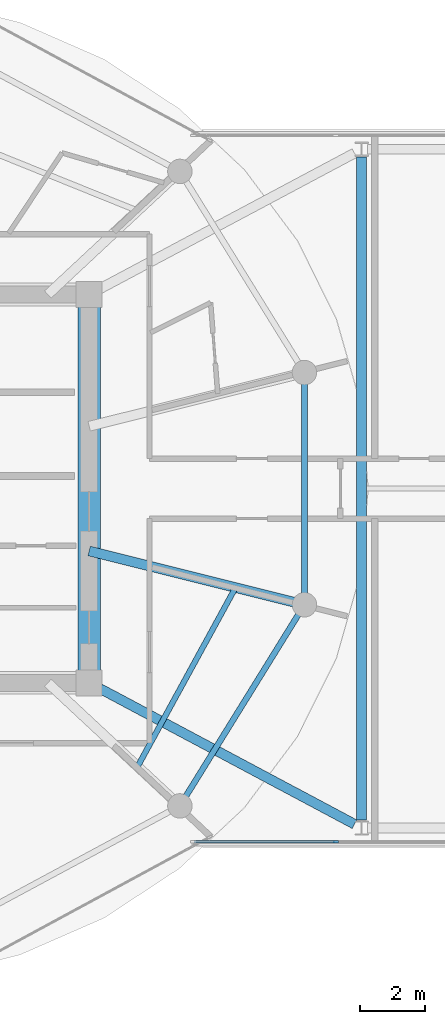
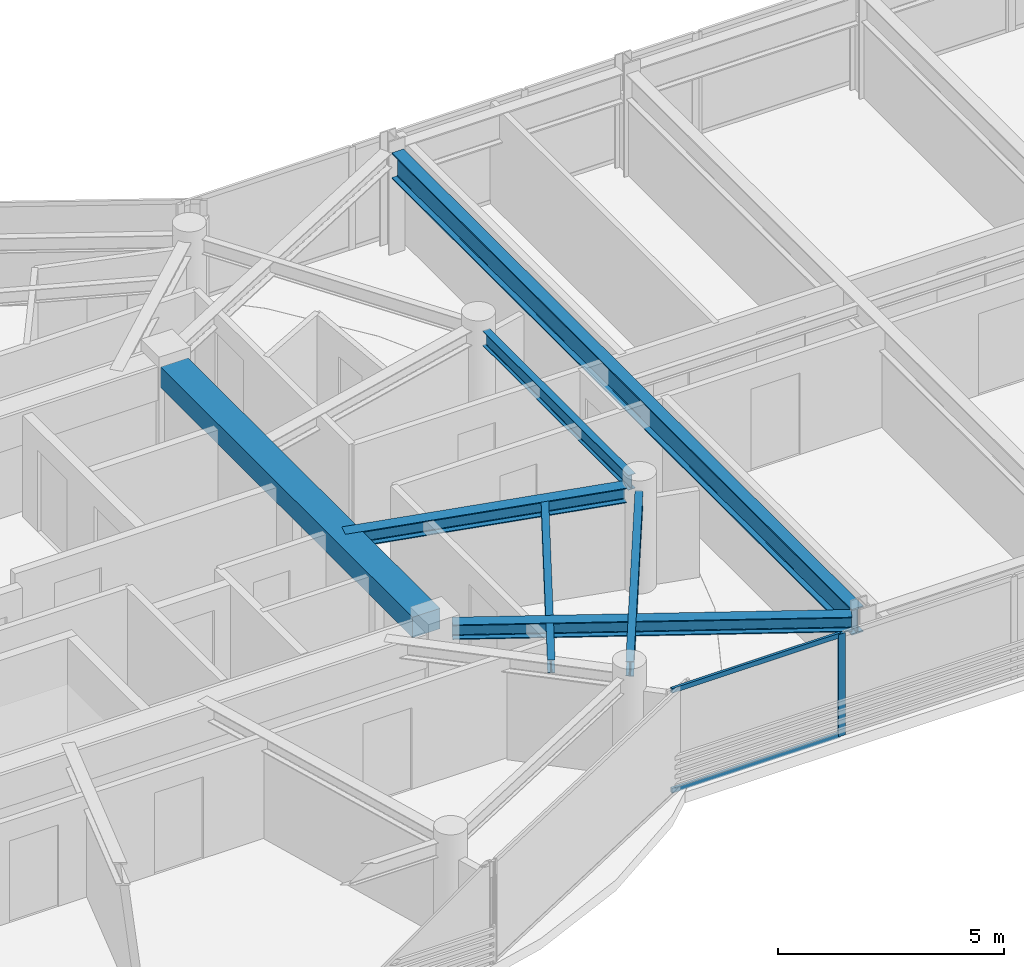
# One storey, part 4 of 23: 7 beams, 3 members, 1 element without a shape of its own.
"""IFC4 building model written with IfcOpenShell, lengths in metres."""

from ifc_helpers import new_model, si_unit, direction, frame, origin, origin_2d, place, context, subcontext, project, spatial, rectangle, i_section, extrude, source, transform, mapped, material, layer, layer_set, material_profile, profile_set, type_object, type_shapes, element, aggregate, save


model = new_model("IFC4")

# Units and contexts
model_context = context("Model", 3, precision=1e-05, world=origin(), true_north=direction((0.0, 1.0)))
body_context = subcontext(model_context, "Body", "Model", "MODEL_VIEW")
ifc_project = project(units=[si_unit("LENGTHUNIT", "METRE"), si_unit("AREAUNIT", "SQUARE_METRE"), si_unit("VOLUMEUNIT", "CUBIC_METRE"), si_unit("PLANEANGLEUNIT", "RADIAN"), si_unit("MASSUNIT", "GRAM", prefix="KILO")], contexts=[model_context])

# Site, building, storey
site_placement = place(None, origin())
site = spatial("IfcSite", under=ifc_project, at=site_placement, CompositionType="ELEMENT")
building_placement = place(site_placement, origin())
building = spatial("IfcBuilding", under=site, at=building_placement, Name="Norrkilde Senior Care Towers", CompositionType="ELEMENT")
storey_placement = place(building_placement, frame((0.0, 0.0, 207.800048828125)))
storey = spatial("IfcBuildingStorey", under=building, at=storey_placement, Name="L64", CompositionType="ELEMENT", Elevation=207.800048828125)

# Beams
ifc_material_1 = material(Name="Concrete C60/75", Category="concrete")
ifc_material_profile_1 = material_profile(ifc_material_1, rectangle(XDim=0.699951171875, YDim=0.550048828125, at=origin_2d()), Name="RC BM 700x550")
ifc_profile_set_1 = profile_set([ifc_material_profile_1], Name="Concrete C60/75")
beam_type_1 = type_object("IfcBeamType", Name="Core Portal Coupling Beam 700x550", PredefinedType="USERDEFINED", material=ifc_profile_set_1)
shared_shape_1 = source(origin(), body_context, "Body", "SweptSolid", [
    extrude(rectangle(XDim=0.699951171875, YDim=0.550048828125, at=origin_2d()), origin(), (0.0, 0.0, 1.0), 11.14013671875),
])
type_shapes(beam_type_1, [shared_shape_1])
beam_1_placement = place(storey_placement, frame((-20.35009765625, -5.570068359375, 2.48486328125), z_axis=(0.0, 1.0, 0.0), x_axis=(-1.0, 0.0, 0.0)))
element("IfcBeam", 1, at=beam_1_placement, inside=storey, type_object=beam_type_1, Name="L64 Core W E Coupling Girder", ObjectType="GIRDER", PredefinedType="USERDEFINED", context=body_context, shape_type="MappedRepresentation", body=[
    mapped(shared_shape_1, transform((0.0, 0.0, 0.0), x_axis=(1.0, 0.0, 0.0), y_axis=(0.0, 1.0, 0.0), z_axis=(0.0, 0.0, 1.0), scale=1.0)),
])
ifc_material_2 = material(Name="Steel S355", Category="steel")
ifc_material_profile_2 = material_profile(ifc_material_2, i_section(OverallWidth=0.179931640625, OverallDepth=0.39990234375, WebThickness=0.008544921875, FlangeThickness=0.013427734375, FilletRadius=0.02099609375, at=origin_2d()), Name="IPE 400")
ifc_profile_set_2 = profile_set([ifc_material_profile_2], Name="Steel S355")
beam_type_2 = type_object("IfcBeamType", Name="Perimeter Ring Spandrel Z4 IPE400", PredefinedType="SPANDREL", material=ifc_profile_set_2)
shared_shape_2 = source(origin(), body_context, "Body", "SweptSolid", [
    extrude(i_section(OverallWidth=0.179931640625, OverallDepth=0.39990234375, WebThickness=0.008544921875, FlangeThickness=0.013427734375, FilletRadius=0.02099609375, at=origin_2d()), origin(), (0.0, 0.0, 1.0), 6.58056640625),
])
beam_2_placement = place(storey_placement, frame((-17.393798828125, -9.43798828125, 2.56005859375), z_axis=(0.526529583789, 0.850156807533, 0.0), x_axis=(-0.850156807533, 0.526529583789, 0.0)))
element("IfcBeam", 2, at=beam_2_placement, inside=storey, type_object=beam_type_2, Name="L64 Drum W Perimeter Spandrel 11", PredefinedType="SPANDREL", context=body_context, shape_type="MappedRepresentation", body=[
    mapped(shared_shape_2, transform((0.0, 0.0, 0.0), x_axis=(1.0, 0.0, 0.0), y_axis=(0.0, 1.0, 0.0), z_axis=(0.0, 0.0, 1.0), scale=1.0)),
])
ifc_material_profile_3 = material_profile(ifc_material_2, i_section(OverallWidth=0.300048828125, OverallDepth=0.39990234375, WebThickness=0.013427734375, FlangeThickness=0.02392578125, FilletRadius=0.027099609375, at=origin_2d()), Name="HEB 400")
ifc_profile_set_3 = profile_set([ifc_material_profile_3], Name="Steel S355")
beam_type_3 = type_object("IfcBeamType", Name="Radial Floor Beam Z4 HEB400", PredefinedType="BEAM", material=ifc_profile_set_3)
shared_shape_3 = source(origin(), body_context, "Body", "SweptSolid", [
    extrude(i_section(OverallWidth=0.300048828125, OverallDepth=0.39990234375, WebThickness=0.013427734375, FlangeThickness=0.02392578125, FilletRadius=0.027099609375, at=origin_2d()), origin(), (0.0, 0.0, 1.0), 6.465087890625),
])
beam_3_placement = place(storey_placement, frame((-20.35009765625, -1.910888671875, 2.56005859375), z_axis=(0.970195788563, -0.242322371758, 0.0), x_axis=(0.242322371758, 0.970195788563, 0.0)))
element("IfcBeam", 3, at=beam_3_placement, inside=storey, type_object=beam_type_3, Name="L64 Drum W Radial Floor Beam 12", PredefinedType="BEAM", context=body_context, shape_type="MappedRepresentation", body=[
    mapped(shared_shape_3, transform((0.0, 0.0, 0.0), x_axis=(1.0, 0.0, 0.0), y_axis=(0.0, 1.0, 0.0), z_axis=(0.0, 0.0, 1.0), scale=1.0)),
])
shared_shape_4 = source(origin(), body_context, "Body", "SweptSolid", [
    extrude(i_section(OverallWidth=0.179931640625, OverallDepth=0.39990234375, WebThickness=0.008544921875, FlangeThickness=0.013427734375, FilletRadius=0.02099609375, at=origin_2d()), origin(), (0.0, 0.0, 1.0), 6.44775390625),
])
type_shapes(beam_type_2, [shared_shape_2, shared_shape_4])
beam_4_placement = place(storey_placement, frame((-13.752685546875, -3.223876953125, 2.56005859375), z_axis=(0.0, 1.0, 0.0), x_axis=(-1.0, 0.0, 0.0)))
element("IfcBeam", 4, at=beam_4_placement, inside=storey, type_object=beam_type_2, Name="L64 Drum W Perimeter Spandrel 12", PredefinedType="SPANDREL", context=body_context, shape_type="MappedRepresentation", body=[
    mapped(shared_shape_4, transform((0.0, 0.0, 0.0), x_axis=(1.0, 0.0, 0.0), y_axis=(0.0, 1.0, 0.0), z_axis=(0.0, 0.0, 1.0), scale=1.0)),
])
ifc_material_profile_4 = material_profile(ifc_material_2, i_section(OverallWidth=0.169921875, OverallDepth=0.360107421875, WebThickness=0.008056640625, FlangeThickness=0.0126953125, FilletRadius=0.01806640625, at=origin_2d()), Name="IPE 360")
ifc_profile_set_4 = profile_set([ifc_material_profile_4], Name="Steel S355")
beam_type_4 = type_object("IfcBeamType", Name="Secondary Floor Joist IPE360", PredefinedType="JOIST", material=ifc_profile_set_4)
shared_shape_5 = source(origin(), body_context, "Body", "SweptSolid", [
    extrude(i_section(OverallWidth=0.169921875, OverallDepth=0.360107421875, WebThickness=0.008056640625, FlangeThickness=0.0126953125, FilletRadius=0.01806640625, at=origin_2d()), origin(), (0.0, 0.0, 1.0), 6.25146484375),
])
type_shapes(beam_type_4, [shared_shape_5])
beam_5_placement = place(storey_placement, frame((-18.865234375, -8.515380859375, 2.579833984375), z_axis=(0.480115752653, 0.877205143655, 0.0), x_axis=(-0.877205143655, 0.480115752653, 0.0)))
element("IfcBeam", 5, at=beam_5_placement, inside=storey, type_object=beam_type_4, Name="L64 Drum W Secondary Floor Joist 4", PredefinedType="JOIST", context=body_context, shape_type="MappedRepresentation", body=[
    mapped(shared_shape_5, transform((0.0, 0.0, 0.0), x_axis=(1.0, 0.0, 0.0), y_axis=(0.0, 1.0, 0.0), z_axis=(0.0, 0.0, 1.0), scale=1.0)),
])
ifc_material_profile_5 = material_profile(ifc_material_2, i_section(OverallWidth=0.300048828125, OverallDepth=0.699951171875, WebThickness=0.01708984375, FlangeThickness=0.031982421875, FilletRadius=0.027099609375, at=origin_2d()), Name="HEB 700")
ifc_profile_set_5 = profile_set([ifc_material_profile_5], Name="Steel S355")
beam_type_5 = type_object("IfcBeamType", Name="Bridge Cross Girder HEB700", PredefinedType="USERDEFINED", material=ifc_profile_set_5)
shared_shape_6 = source(origin(), body_context, "Body", "SweptSolid", [
    extrude(i_section(OverallWidth=0.300048828125, OverallDepth=0.699951171875, WebThickness=0.01708984375, FlangeThickness=0.031982421875, FilletRadius=0.027099609375, at=origin_2d()), origin(), (0.0, 0.0, 1.0), 20.31982421875),
])
type_shapes(beam_type_5, [shared_shape_6])
beam_6_placement = place(storey_placement, frame((-12.0, -10.159912109375, 2.409912109375), z_axis=(0.0, 1.0, 0.0), x_axis=(-1.0, 0.0, 0.0)))
element("IfcBeam", 6, at=beam_6_placement, inside=storey, type_object=beam_type_5, Name="L64 Sky-Gate Bridge Cross Girder -12", ObjectType="GIRDER", PredefinedType="USERDEFINED", context=body_context, shape_type="MappedRepresentation", body=[
    mapped(shared_shape_6, transform((0.0, 0.0, 0.0), x_axis=(1.0, 0.0, 0.0), y_axis=(0.0, 1.0, 0.0), z_axis=(0.0, 0.0, 1.0), scale=1.0)),
])
shared_shape_7 = source(origin(), body_context, "Body", "SweptSolid", [
    extrude(i_section(OverallWidth=0.300048828125, OverallDepth=0.39990234375, WebThickness=0.013427734375, FlangeThickness=0.02392578125, FilletRadius=0.027099609375, at=origin_2d()), origin(), (0.0, 0.0, 1.0), 8.831787109375),
])
type_shapes(beam_type_3, [shared_shape_3, shared_shape_7])
beam_7_placement = place(storey_placement, frame((-20.0146484375, -6.128662109375, 2.56005859375), z_axis=(0.882492172381, -0.470327083727, 0.0), x_axis=(0.470327083727, 0.882492172381, 0.0)))
element("IfcBeam", 7, at=beam_7_placement, inside=storey, type_object=beam_type_3, Name="L64 Sky-Gate Bridge Girder S1", PredefinedType="BEAM", context=body_context, shape_type="MappedRepresentation", body=[
    mapped(shared_shape_7, transform((0.0, 0.0, 0.0), x_axis=(1.0, 0.0, 0.0), y_axis=(0.0, 1.0, 0.0), z_axis=(0.0, 0.0, 1.0), scale=1.0)),
])

# Curtain wall, members
ifc_material_3 = material(Name="Triple Low-E Insulated Glazing", Category="glass")
ifc_layer = layer(ifc_material_3, 0.2099609375)
ifc_layer_set = layer_set([ifc_layer], Name="Triple Low-E Insulated Glazing")
curtain_wall_type = type_object("IfcCurtainWallType", Name="CW5 Sky-Gate Bridge Curtain Wall", PredefinedType="NOTDEFINED", material=ifc_layer_set)
curtain_wall_placement = place(storey_placement, origin())
curtain_wall = element("IfcCurtainWall", 8, at=curtain_wall_placement, inside=storey, type_object=curtain_wall_type, Name="L64 Sky-Gate Bridge South Curtain Wall 3", PredefinedType="NOTDEFINED")
ifc_material_4 = material(Name="Anodised Aluminium", Category="aluminium")
ifc_material_profile_6 = material_profile(ifc_material_4, rectangle(XDim=0.06494140625, YDim=0.1298828125, at=origin_2d()), Name="ALU TRAN 65x130")
ifc_profile_set_6 = profile_set([ifc_material_profile_6], Name="Anodised Aluminium")
member_type_1 = type_object("IfcMemberType", Name="Curtain Wall Transom Heavy 65x130", PredefinedType="USERDEFINED", material=ifc_profile_set_6)
shared_shape_8 = source(origin(), body_context, "Body", "SweptSolid", [
    extrude(rectangle(XDim=0.06494140625, YDim=0.1298828125, at=origin_2d()), origin(), (0.0, 0.0, 1.0), 4.294921875),
])
type_shapes(member_type_1, [shared_shape_8])
member_1_placement = place(storey_placement, frame((-12.8349609375, -10.820068359375, 0.032470703125), z_axis=(-1.0, 0.0, 0.0), x_axis=(0.0, -1.0, 0.0)))
member_1 = element("IfcMember", 9, at=member_1_placement, type_object=member_type_1, Name="CW-5 transom 3.1", ObjectType="TRANSOM", PredefinedType="USERDEFINED", context=body_context, shape_type="MappedRepresentation", body=[
    mapped(shared_shape_8, transform((0.0, 0.0, 0.0), x_axis=(1.0, 0.0, 0.0), y_axis=(0.0, 1.0, 0.0), z_axis=(0.0, 0.0, 1.0), scale=1.0)),
])
member_2_placement = place(storey_placement, frame((-12.8349609375, -10.820068359375, 2.7275390625), z_axis=(-1.0, 0.0, 0.0), x_axis=(0.0, -1.0, 0.0)))
member_2 = element("IfcMember", 10, at=member_2_placement, type_object=member_type_1, Name="CW-5 transom 3.2", ObjectType="TRANSOM", PredefinedType="USERDEFINED", context=body_context, shape_type="MappedRepresentation", body=[
    mapped(shared_shape_8, transform((0.0, 0.0, 0.0), x_axis=(1.0, 0.0, 0.0), y_axis=(0.0, 1.0, 0.0), z_axis=(0.0, 0.0, 1.0), scale=1.0)),
])
ifc_material_profile_7 = material_profile(ifc_material_4, rectangle(XDim=0.070068359375, YDim=0.169921875, at=origin_2d()), Name="ALU MULL 70x170")
ifc_profile_set_7 = profile_set([ifc_material_profile_7], Name="Anodised Aluminium")
member_type_2 = type_object("IfcMemberType", Name="Curtain Wall Mullion Heavy 70x170", PredefinedType="MULLION", material=ifc_profile_set_7)
shared_shape_9 = source(origin(), body_context, "Body", "SweptSolid", [
    extrude(rectangle(XDim=0.070068359375, YDim=0.169921875, at=origin_2d()), origin(), (0.0, 0.0, 1.0), 2.760009765625),
])
type_shapes(member_type_2, [shared_shape_9])
member_3_placement = place(storey_placement, frame((-12.800048828125, -10.820068359375, 0.0), z_axis=(0.0, 0.0, 1.0), x_axis=(0.0, -1.0, 0.0)))
member_3 = element("IfcMember", 11, at=member_3_placement, type_object=member_type_2, Name="CW-5 mullion 3", PredefinedType="MULLION", context=body_context, shape_type="MappedRepresentation", body=[
    mapped(shared_shape_9, transform((0.0, 0.0, 0.0), x_axis=(1.0, 0.0, 0.0), y_axis=(0.0, 1.0, 0.0), z_axis=(0.0, 0.0, 1.0), scale=1.0)),
])
aggregate(curtain_wall, [member_3, member_1, member_2])

save(model, "model.ifc")
